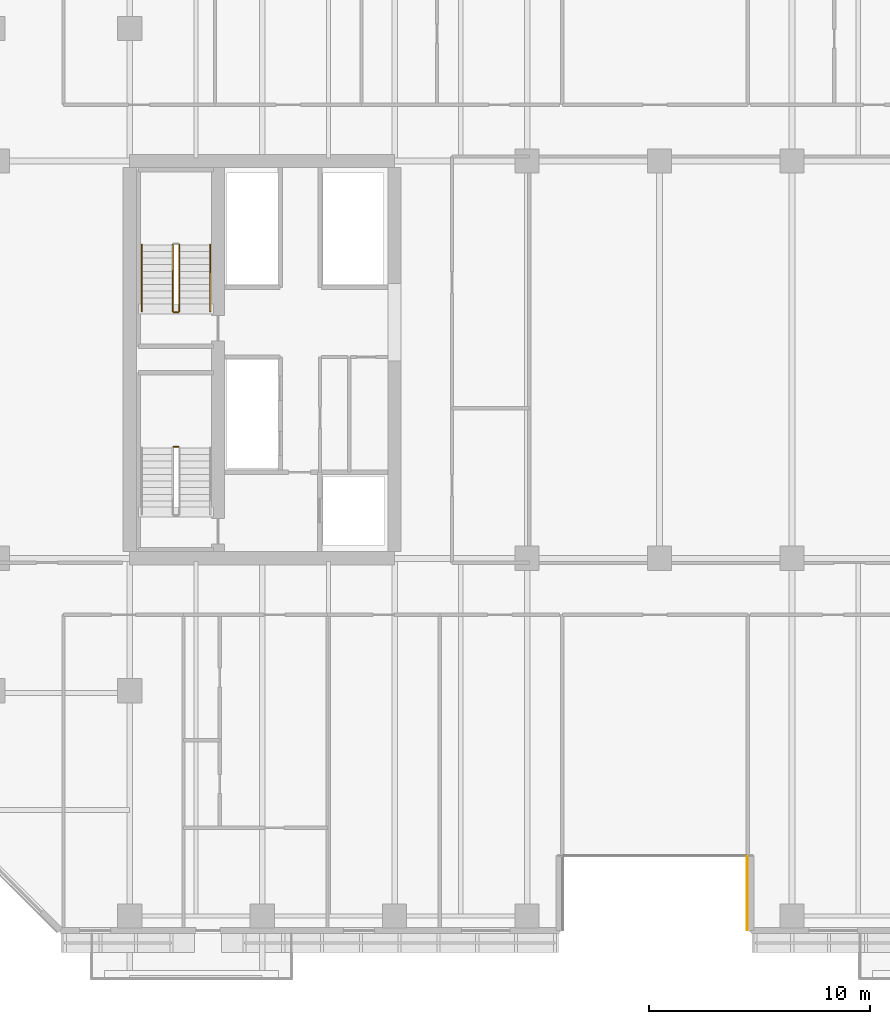
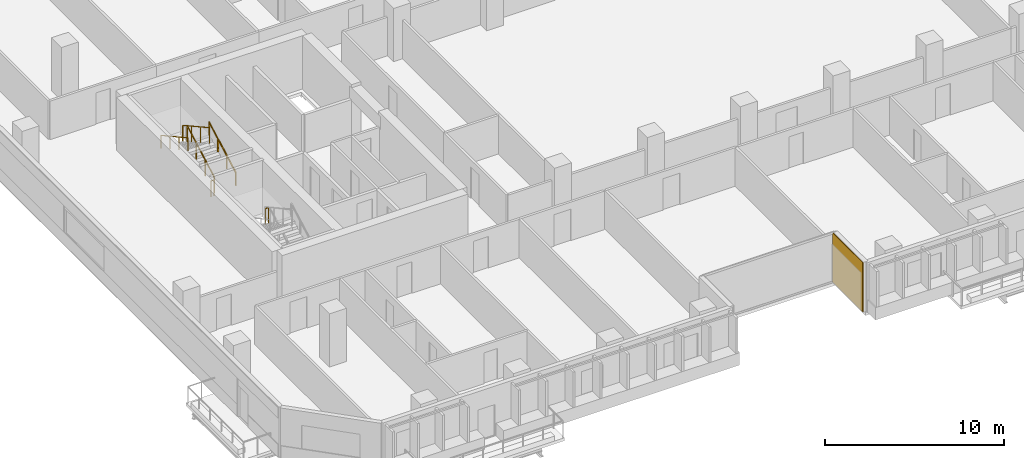
# One storey, part 20 of 26: 6 railings, 1 covering.
"""IFC4 building model written with IfcOpenShell, lengths in metres."""

from ifc_helpers import new_model, si_unit, direction, frame, origin, origin_2d, place, context, subcontext, project, spatial, rectangle, extrude, material, layer, layer_set, type_object, element, save


model = new_model("IFC4")

# Units and contexts
model_context = context("Model", 3, precision=1e-05, world=origin(), true_north=direction((0.0, 1.0)))
body_context = subcontext(model_context, "Body", "Model", "MODEL_VIEW")
ifc_project = project(units=[si_unit("LENGTHUNIT", "METRE"), si_unit("AREAUNIT", "SQUARE_METRE"), si_unit("VOLUMEUNIT", "CUBIC_METRE"), si_unit("PLANEANGLEUNIT", "RADIAN"), si_unit("MASSUNIT", "GRAM", prefix="KILO")], contexts=[model_context])

# Site, building, storey
site_placement = place(None, origin())
site = spatial("IfcSite", under=ifc_project, at=site_placement, CompositionType="ELEMENT")
building_placement = place(site_placement, origin())
building = spatial("IfcBuilding", under=site, at=building_placement, Name="Tanjung Sevakor Pilgrim Tower", CompositionType="ELEMENT")
storey_placement = place(building_placement, frame((0.0, 0.0, 66.0)))
storey = spatial("IfcBuildingStorey", under=building, at=storey_placement, Name="L18", CompositionType="ELEMENT", Elevation=66.0)

# Covering
ifc_material_1 = material(Name="Reconstructed Limestone Cladding", Category="masonry")
ifc_layer = layer(ifc_material_1, 0.044921875)
ifc_layer_set = layer_set([ifc_layer], Name="COV-CLAD-LIMESTONE")
covering_type = type_object("IfcCoveringType", Name="COV-CLAD-LIMESTONE", PredefinedType="CLADDING", material=ifc_layer_set)
covering_placement = place(storey_placement, frame((51.9775390625, 9.43994140625, 0.02001953125), z_axis=(0.0, 0.0, 1.0), x_axis=(0.0, -1.0, 0.0)))
element("IfcCovering", 1, at=covering_placement, inside=storey, type_object=covering_type, Name="L18 Warm Limestone Wall Cladding EW-L18-MAIN-4", PredefinedType="CLADDING", context=body_context, shape_type="SweptSolid", body=[
    extrude(rectangle(XDim=3.360107421875, YDim=0.044921875, at=origin_2d()), origin(), (0.0, 0.0, 1.0), 3.3701171875),
])

# Railings
ifc_material_2 = material(Name="Steel S355J2", Category="steel")
railing_type_1 = type_object("IfcRailingType", Name="RL-STAIR-GUARD", PredefinedType="GUARDRAIL", material=ifc_material_2)
railing_1_placement = place(storey_placement, frame((26.199951171875, 29.64990234375, 1.81494140625)))
element("IfcRailing", 2, at=railing_1_placement, inside=storey, type_object=railing_type_1, Name="L18 TS-W1 stair guard 2", PredefinedType="GUARDRAIL", context=body_context, shape_type="SweptSolid", body=[
    extrude(rectangle(XDim=0.0479, YDim=0.0479), frame((0.0, 0.0, 1.076171875), z_axis=(-1.0, 0.0, 0.0), x_axis=(0.0, -1.0, 0.0)), (0.0, 0.0, 1.0), 0.199951171875),
    extrude(rectangle(XDim=0.042, YDim=0.042), origin(), (0.0, 0.0, 1.0), 1.052001953125),
    extrude(rectangle(XDim=0.042, YDim=0.042), frame((-0.199951171875, 0.0, 0.0)), (0.0, 0.0, 1.0), 1.052001953125),
])
railing_2_placement = place(storey_placement, frame((26.25, 35.800048828125, 0.1650390625)))
element("IfcRailing", 3, at=railing_2_placement, inside=storey, type_object=railing_type_1, Name="L18 TS-W2 stair guard 1", PredefinedType="GUARDRAIL", context=body_context, shape_type="SweptSolid", body=[
    extrude(rectangle(XDim=0.0479, YDim=0.0479), frame((0.0, 0.0, 1.076171875), z_axis=(0.0, 0.876227952683, 0.48189685093), x_axis=(-1.0, 0.0, 0.0)), (0.0, 0.0, 1.0), 3.423828125),
    extrude(rectangle(XDim=0.042, YDim=0.042), origin(), (0.0, 0.0, 1.0), 1.052001953125),
    extrude(rectangle(XDim=0.042, YDim=0.042), frame((0.0, 1.0, 0.550048828125)), (0.0, 0.0, 1.0), 1.052001953125),
    extrude(rectangle(XDim=0.042, YDim=0.042), frame((0.0, 2.0, 1.099853515625)), (0.0, 0.0, 1.0), 1.052001953125),
    extrude(rectangle(XDim=0.042, YDim=0.042), frame((0.0, 3.0, 1.64990234375)), (0.0, 0.0, 1.0), 1.052001953125),
])
railing_3_placement = place(storey_placement, frame((25.949951171875, 38.800048828125, 1.97998046875)))
element("IfcRailing", 4, at=railing_3_placement, inside=storey, type_object=railing_type_1, Name="L18 TS-W2 stair guard 3", PredefinedType="GUARDRAIL", context=body_context, shape_type="SweptSolid", body=[
    extrude(rectangle(XDim=0.0479, YDim=0.0479), frame((0.0, 0.0, 1.076171875), z_axis=(0.0, -0.876227952683, 0.48189685093), x_axis=(1.0, 0.0, 0.0)), (0.0, 0.0, 1.0), 3.423828125),
    extrude(rectangle(XDim=0.042, YDim=0.042), origin(), (0.0, 0.0, 1.0), 1.052001953125),
    extrude(rectangle(XDim=0.042, YDim=0.042), frame((0.0, -1.0, 0.550048828125)), (0.0, 0.0, 1.0), 1.052001953125),
    extrude(rectangle(XDim=0.042, YDim=0.042), frame((0.0, -2.0, 1.099853515625)), (0.0, 0.0, 1.0), 1.052001953125),
    extrude(rectangle(XDim=0.042, YDim=0.042), frame((0.0, -3.0, 1.64990234375)), (0.0, 0.0, 1.0), 1.052001953125),
])
railing_4_placement = place(storey_placement, frame((26.199951171875, 35.75, 0.0)))
element("IfcRailing", 5, at=railing_4_placement, inside=storey, type_object=railing_type_1, Name="L18 TS-W2 stair guard 4", PredefinedType="GUARDRAIL", context=body_context, shape_type="SweptSolid", body=[
    extrude(rectangle(XDim=0.0479, YDim=0.0479), frame((0.0, 0.0, 1.076171875), z_axis=(-1.0, 0.0, 0.0), x_axis=(0.0, -1.0, 0.0)), (0.0, 0.0, 1.0), 0.199951171875),
    extrude(rectangle(XDim=0.042, YDim=0.042), origin(), (0.0, 0.0, 1.0), 1.052001953125),
    extrude(rectangle(XDim=0.042, YDim=0.042), frame((-0.199951171875, 0.0, 0.0)), (0.0, 0.0, 1.0), 1.052001953125),
])
ifc_material_3 = material(Name="Steel S355J2", Category="steel")
railing_type_2 = type_object("IfcRailingType", Name="RL-STAIR-HAND", PredefinedType="HANDRAIL", material=ifc_material_3)
railing_5_placement = place(storey_placement, frame((27.64990234375, 35.800048828125, 0.1650390625)))
element("IfcRailing", 6, at=railing_5_placement, inside=storey, type_object=railing_type_2, Name="L18 TS-W2 stair handrail 1", PredefinedType="HANDRAIL", context=body_context, shape_type="SweptSolid", body=[
    extrude(rectangle(XDim=0.0479, YDim=0.0479), frame((0.0, 0.0, 0.8759765625), z_axis=(0.0, 0.876227952683, 0.48189685093), x_axis=(-1.0, 0.0, 0.0)), (0.0, 0.0, 1.0), 3.423828125),
    extrude(rectangle(XDim=0.042, YDim=0.042), origin(), (0.0, 0.0, 1.0), 0.851806640625),
    extrude(rectangle(XDim=0.042, YDim=0.042), frame((0.0, 1.0, 0.550048828125)), (0.0, 0.0, 1.0), 0.851806640625),
    extrude(rectangle(XDim=0.042, YDim=0.042), frame((0.0, 2.0, 1.099853515625)), (0.0, 0.0, 1.0), 0.851806640625),
    extrude(rectangle(XDim=0.042, YDim=0.042), frame((0.0, 3.0, 1.64990234375)), (0.0, 0.0, 1.0), 0.851806640625),
])
railing_6_placement = place(storey_placement, frame((24.550048828125, 38.800048828125, 1.97998046875)))
element("IfcRailing", 7, at=railing_6_placement, inside=storey, type_object=railing_type_2, Name="L18 TS-W2 stair handrail 2", PredefinedType="HANDRAIL", context=body_context, shape_type="SweptSolid", body=[
    extrude(rectangle(XDim=0.0479, YDim=0.0479), frame((0.0, 0.0, 0.8759765625), z_axis=(0.0, -0.876227952683, 0.48189685093), x_axis=(1.0, 0.0, 0.0)), (0.0, 0.0, 1.0), 3.423828125),
    extrude(rectangle(XDim=0.042, YDim=0.042), origin(), (0.0, 0.0, 1.0), 0.851806640625),
    extrude(rectangle(XDim=0.042, YDim=0.042), frame((0.0, -1.0, 0.550048828125)), (0.0, 0.0, 1.0), 0.851806640625),
    extrude(rectangle(XDim=0.042, YDim=0.042), frame((0.0, -2.0, 1.099853515625)), (0.0, 0.0, 1.0), 0.851806640625),
    extrude(rectangle(XDim=0.042, YDim=0.042), frame((0.0, -3.0, 1.64990234375)), (0.0, 0.0, 1.0), 0.851806640625),
])

save(model, "model.ifc")
